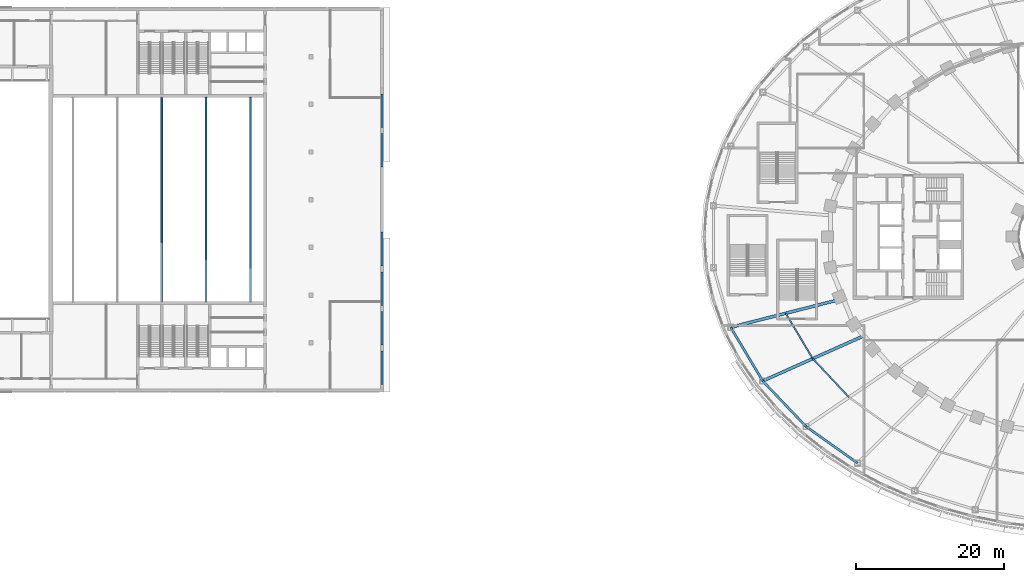
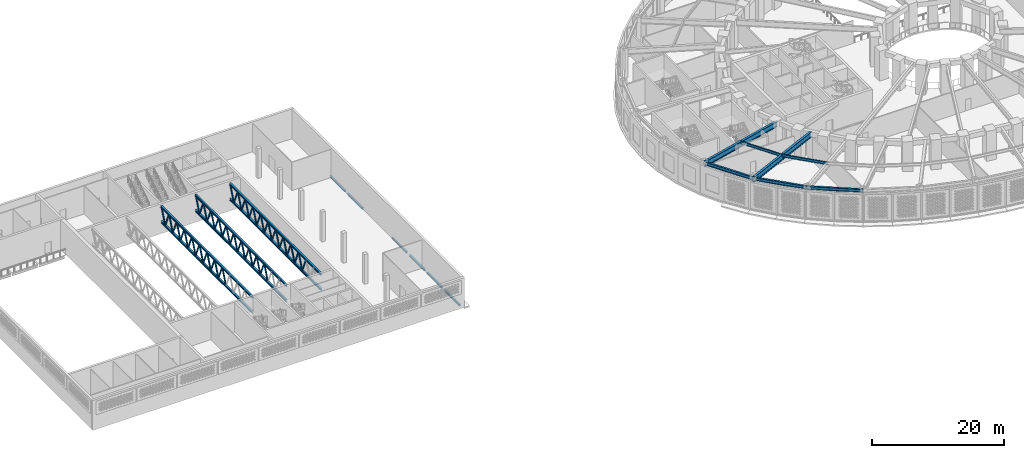
# One storey, part 4 of 69: 56 members, 19 beams.
"""IFC4 building model written with IfcOpenShell, lengths in metres."""

from ifc_helpers import new_model, si_unit, direction, frame, origin, origin_2d, place, context, subcontext, project, spatial, hollow_circle, i_section, extrude, material, material_profile, profile_set, type_object, element, save


model = new_model("IFC4")

# Units and contexts
model_context = context("Model", 3, precision=1e-05, world=origin(), true_north=direction((0.0, 1.0)))
body_context = subcontext(model_context, "Body", "Model", "MODEL_VIEW")
ifc_project = project(units=[si_unit("LENGTHUNIT", "METRE"), si_unit("AREAUNIT", "SQUARE_METRE"), si_unit("VOLUMEUNIT", "CUBIC_METRE"), si_unit("PLANEANGLEUNIT", "RADIAN"), si_unit("MASSUNIT", "GRAM", prefix="KILO")], contexts=[model_context])

# Site, building, storey
site_placement = place(None, origin())
site = spatial("IfcSite", under=ifc_project, at=site_placement, CompositionType="ELEMENT")
building_placement = place(site_placement, origin())
building = spatial("IfcBuilding", under=site, at=building_placement, Name="Noorbagh Ring Tower", CompositionType="ELEMENT")
storey_placement = place(building_placement, frame((0.0, 0.0, 19.5)))
storey = spatial("IfcBuildingStorey", under=building, at=storey_placement, Name="L03", CompositionType="ELEMENT", Elevation=19.5)

# Beams
ifc_material_1 = material(Name="Steel S355", Category="steel")
ifc_material_profile_1 = material_profile(ifc_material_1, i_section(OverallWidth=0.300048828125, OverallDepth=0.60009765625, WebThickness=0.015380859375, FlangeThickness=0.030029296875, FilletRadius=0.027099609375, at=origin_2d()), Name="HEB600")
ifc_profile_set_1 = profile_set([ifc_material_profile_1], Name="Steel S355")
beam_type_1 = type_object("IfcBeamType", Name="GND-EDGE-BEAM-HEB600", PredefinedType="BEAM", material=ifc_profile_set_1)
beam_1_placement = place(storey_placement, frame((-48.0224609375, -12.266845703125, 4.949951171875), z_axis=(0.511999358166, -0.858985830638, 0.0), x_axis=(0.858985830638, 0.511999358166, 0.0)))
element("IfcBeam", 1, at=beam_1_placement, inside=storey, type_object=beam_type_1, Name="L03/bm/ERP-19", PredefinedType="BEAM", context=body_context, shape_type="SweptSolid", body=[
    extrude(i_section(OverallWidth=0.300048828125, OverallDepth=0.60009765625, WebThickness=0.015380859375, FlangeThickness=0.030029296875, FilletRadius=0.027099609375, at=origin_2d()), origin(), (0.0, 0.0, 1.0), 8.449462890625),
])
beam_2_placement = place(storey_placement, frame((-43.6962890625, -19.52490234375, 4.949951171875), z_axis=(0.689738356688, -0.724058698804, 0.0), x_axis=(0.724058698804, 0.689738356688, 0.0)))
element("IfcBeam", 2, at=beam_2_placement, inside=storey, type_object=beam_type_1, Name="L03/bm/ERP-20", PredefinedType="BEAM", context=body_context, shape_type="SweptSolid", body=[
    extrude(i_section(OverallWidth=0.300048828125, OverallDepth=0.60009765625, WebThickness=0.015380859375, FlangeThickness=0.030029296875, FilletRadius=0.027099609375, at=origin_2d()), origin(), (0.0, 0.0, 1.0), 8.500732421875),
])
beam_3_placement = place(storey_placement, frame((-37.8330078125, -25.679931640625, 4.949951171875), z_axis=(0.815104059745, -0.579314570667, 0.0), x_axis=(0.579314570667, 0.815104059745, 0.0)))
element("IfcBeam", 3, at=beam_3_placement, inside=storey, type_object=beam_type_1, Name="L03/bm/ERP-21", PredefinedType="BEAM", context=body_context, shape_type="SweptSolid", body=[
    extrude(i_section(OverallWidth=0.300048828125, OverallDepth=0.60009765625, WebThickness=0.015380859375, FlangeThickness=0.030029296875, FilletRadius=0.027099609375, at=origin_2d()), origin(), (0.0, 0.0, 1.0), 8.543212890625),
])
ifc_material_2 = material(Name="Steel S355", Category="steel")
ifc_material_profile_2 = material_profile(ifc_material_2, i_section(OverallWidth=0.39990234375, OverallDepth=1.0, WebThickness=0.01611328125, FlangeThickness=0.0400390625, at=origin_2d()), Name="PG1000x400x16x40")
ifc_profile_set_2 = profile_set([ifc_material_profile_2], Name="Steel S355")
beam_type_2 = type_object("IfcBeamType", Name="GND-GIRDER-PG1000x400x16x40", PredefinedType="BEAM", material=ifc_profile_set_2)
beam_4_placement = place(storey_placement, frame((-48.0224609375, -12.266845703125, 4.75), z_axis=(0.968889089752, 0.247495316642, 0.0), x_axis=(-0.247495316642, 0.968889089752, 0.0)))
element("IfcBeam", 4, at=beam_4_placement, inside=storey, type_object=beam_type_2, Name="L03/bm/GRP-19", PredefinedType="BEAM", context=body_context, shape_type="SweptSolid", body=[
    extrude(i_section(OverallWidth=0.39990234375, OverallDepth=1.0, WebThickness=0.01611328125, FlangeThickness=0.0400390625, at=origin_2d()), origin(), (0.0, 0.0, 1.0), 15.35986328125),
])
beam_5_placement = place(storey_placement, frame((-43.6962890625, -19.52490234375, 4.75), z_axis=(0.91299879945, 0.4079622436, 0.0), x_axis=(-0.4079622436, 0.91299879945, 0.0)))
element("IfcBeam", 5, at=beam_5_placement, inside=storey, type_object=beam_type_2, Name="L03/bm/GRP-20", PredefinedType="BEAM", context=body_context, shape_type="SweptSolid", body=[
    extrude(i_section(OverallWidth=0.39990234375, OverallDepth=1.0, WebThickness=0.01611328125, FlangeThickness=0.0400390625, at=origin_2d()), origin(), (0.0, 0.0, 1.0), 14.8359375),
])
ifc_material_3 = material(Name="Steel S355", Category="steel")
ifc_material_profile_3 = material_profile(ifc_material_3, i_section(OverallWidth=0.199951171875, OverallDepth=0.5, WebThickness=0.01025390625, FlangeThickness=0.01611328125, FilletRadius=0.02099609375, at=origin_2d()), Name="IPE500")
ifc_profile_set_3 = profile_set([ifc_material_profile_3], Name="Steel S355")
beam_type_3 = type_object("IfcBeamType", Name="GND-MID-BEAM-IPE500", PredefinedType="JOIST", material=ifc_profile_set_3)
beam_6_placement = place(storey_placement, frame((-40.581298828125, -10.3662109375, 5.0), z_axis=(0.512221226457, -0.858853546984, 0.0), x_axis=(0.858853546984, 0.512221226457, 0.0)))
element("IfcBeam", 6, at=beam_6_placement, inside=storey, type_object=beam_type_3, Name="L03/bm/MRP-19", PredefinedType="JOIST", context=body_context, shape_type="SweptSolid", body=[
    extrude(i_section(OverallWidth=0.199951171875, OverallDepth=0.5, WebThickness=0.01025390625, FlangeThickness=0.01611328125, FilletRadius=0.02099609375, at=origin_2d()), origin(), (0.0, 0.0, 1.0), 7.140380859375),
])
beam_7_placement = place(storey_placement, frame((-36.923828125, -16.498779296875, 5.0), z_axis=(0.684360968268, -0.729143377609, 0.0), x_axis=(0.729143377609, 0.684360968268, 0.0)))
element("IfcBeam", 7, at=beam_7_placement, inside=storey, type_object=beam_type_3, Name="L03/bm/MRP-20", PredefinedType="JOIST", context=body_context, shape_type="SweptSolid", body=[
    extrude(i_section(OverallWidth=0.199951171875, OverallDepth=0.5, WebThickness=0.01025390625, FlangeThickness=0.01611328125, FilletRadius=0.02099609375, at=origin_2d()), origin(), (0.0, 0.0, 1.0), 7.174560546875),
])
ifc_material_4 = material(Name="Steel S355", Category="steel")
ifc_material_profile_4 = material_profile(ifc_material_4, i_section(OverallWidth=0.300048828125, OverallDepth=0.300048828125, WebThickness=0.010986328125, FlangeThickness=0.01904296875, FilletRadius=0.027099609375, at=origin_2d()), Name="HEB300")
ifc_profile_set_4 = profile_set([ifc_material_profile_4], Name="Steel S355")
beam_type_4 = type_object("IfcBeamType", Name="TH-SPANDREL", PredefinedType="BEAM", material=ifc_profile_set_4)
beam_8_placement = place(storey_placement, frame((-95.199951171875, -20.0, -0.14990234375), z_axis=(0.0, 1.0, 0.0), x_axis=(-1.0, 0.0, 0.0)))
element("IfcBeam", 8, at=beam_8_placement, inside=storey, type_object=beam_type_4, Name="Foyer spandrel beam 1", PredefinedType="BEAM", context=body_context, shape_type="SweptSolid", body=[
    extrude(i_section(OverallWidth=0.300048828125, OverallDepth=0.300048828125, WebThickness=0.010986328125, FlangeThickness=0.01904296875, FilletRadius=0.027099609375, at=origin_2d()), origin(), (0.0, 0.0, 1.0), 4.550048828125),
])
beam_9_placement = place(storey_placement, frame((-95.199951171875, -14.64990234375, -0.14990234375), z_axis=(0.0, 1.0, 0.0), x_axis=(-1.0, 0.0, 0.0)))
element("IfcBeam", 9, at=beam_9_placement, inside=storey, type_object=beam_type_4, Name="Foyer spandrel beam 2", PredefinedType="BEAM", context=body_context, shape_type="SweptSolid", body=[
    extrude(i_section(OverallWidth=0.300048828125, OverallDepth=0.300048828125, WebThickness=0.010986328125, FlangeThickness=0.01904296875, FilletRadius=0.027099609375, at=origin_2d()), origin(), (0.0, 0.0, 1.0), 4.5498046875),
])
for number, where, z_axis, x_axis, name in (
    (10, (-95.199951171875, -9.300048828125, -0.14990234375), (0.0, 1.0, 0.0), (-1.0, 0.0, 0.0), "Foyer spandrel beam 3"),
    (11, (-95.199951171875, -3.949951171875, -0.14990234375), (0.0, 1.0, 0.0), (-1.0, 0.0, 0.0), "Foyer spandrel beam 4"),
    (12, (-95.199951171875, 9.39990234375, -0.14990234375), (0.0, 1.0, 0.0), (-1.0, 0.0, 0.0), "Foyer spandrel beam 5"),
    (13, (-95.199951171875, 14.75, -0.14990234375), (0.0, 1.0, 0.0), (-1.0, 0.0, 0.0), "Foyer spandrel beam 6"),
):
    element("IfcBeam", number, at=place(storey_placement, frame(where, z_axis=z_axis, x_axis=x_axis)), inside=storey, type_object=beam_type_4, Name=name, PredefinedType="BEAM", context=body_context, shape_type="SweptSolid", body=[
        extrude(i_section(OverallWidth=0.300048828125, OverallDepth=0.300048828125, WebThickness=0.010986328125, FlangeThickness=0.01904296875, FilletRadius=0.027099609375, at=origin_2d()), origin(), (0.0, 0.0, 1.0), 4.550048828125),
    ])
ifc_material_5 = material(Name="Steel S355", Category="steel")
ifc_material_profile_5 = material_profile(ifc_material_5, i_section(OverallWidth=0.300048828125, OverallDepth=0.39990234375, WebThickness=0.013427734375, FlangeThickness=0.02392578125, FilletRadius=0.027099609375, at=origin_2d()), Name="HEB400")
ifc_profile_set_5 = profile_set([ifc_material_profile_5], Name="Steel S355")
beam_type_5 = type_object("IfcBeamType", Name="TH-TRUSS-CHORD", PredefinedType="BEAM", material=ifc_profile_set_5)
for number, where, z_axis, x_axis, name in (
    (14, (-125.0, -8.800048828125, 5.0), (0.0, 1.0, 0.0), (-1.0, 0.0, 0.0), "L03/th-truss/3-top"),
    (15, (-125.0, -8.800048828125, 2.199951171875), (0.0, 1.0, 0.0), (-1.0, 0.0, 0.0), "L03/th-truss/3-bot"),
    (16, (-119.0, -8.800048828125, 5.0), (0.0, 1.0, 0.0), (-1.0, 0.0, 0.0), "L03/th-truss/4-top"),
    (17, (-119.0, -8.800048828125, 2.199951171875), (0.0, 1.0, 0.0), (-1.0, 0.0, 0.0), "L03/th-truss/4-bot"),
    (18, (-113.0, -8.800048828125, 5.0), (0.0, 1.0, 0.0), (-1.0, 0.0, 0.0), "L03/th-truss/5-top"),
    (19, (-113.0, -8.800048828125, 2.199951171875), (0.0, 1.0, 0.0), (-1.0, 0.0, 0.0), "L03/th-truss/5-bot"),
):
    element("IfcBeam", number, at=place(storey_placement, frame(where, z_axis=z_axis, x_axis=x_axis)), inside=storey, type_object=beam_type_5, Name=name, PredefinedType="BEAM", context=body_context, shape_type="SweptSolid", body=[
        extrude(i_section(OverallWidth=0.300048828125, OverallDepth=0.39990234375, WebThickness=0.013427734375, FlangeThickness=0.02392578125, FilletRadius=0.027099609375, at=origin_2d()), origin(), (0.0, 0.0, 1.0), 27.60009765625),
    ])

# Members
ifc_material_6 = material(Name="Steel S355", Category="steel")
ifc_material_profile_6 = material_profile(ifc_material_6, hollow_circle(Radius=0.136474609375, WallThickness=0.012451171875, at=origin_2d()), Name="CHS273x12.5")
ifc_profile_set_6 = profile_set([ifc_material_profile_6], Name="Steel S355")
member_type = type_object("IfcMemberType", Name="TH-TRUSS-DIAG", PredefinedType="BRACE", material=ifc_profile_set_6)
member_1_placement = place(storey_placement, frame((-125.0, -0.75, 2.199951171875), z_axis=(0.0, 0.379885579371, 0.925033484035), x_axis=(-1.0, 0.0, 0.0)))
element("IfcMember", 20, at=member_1_placement, inside=storey, type_object=member_type, Name="L03/th-truss/3-d08", PredefinedType="BRACE", context=body_context, shape_type="SweptSolid", body=[
    extrude(hollow_circle(Radius=0.136474609375, WallThickness=0.012451171875, at=origin_2d()), origin(), (0.0, 0.0, 1.0), 3.02685546875),
])
member_2_placement = place(storey_placement, frame((-125.0, 0.39990234375, 5.0), z_axis=(0.0, 0.379954591726, -0.925005139568), x_axis=(-1.0, 0.0, 0.0)))
element("IfcMember", 21, at=member_2_placement, inside=storey, type_object=member_type, Name="L03/th-truss/3-d09", PredefinedType="BRACE", context=body_context, shape_type="SweptSolid", body=[
    extrude(hollow_circle(Radius=0.136474609375, WallThickness=0.012451171875, at=origin_2d()), origin(), (0.0, 0.0, 1.0), 3.027099609375),
])
member_3_placement = place(storey_placement, frame((-125.0, 1.550048828125, 2.199951171875), z_axis=(0.0, 0.379885579371, 0.925033484035), x_axis=(-1.0, 0.0, 0.0)))
element("IfcMember", 22, at=member_3_placement, inside=storey, type_object=member_type, Name="L03/th-truss/3-d10", PredefinedType="BRACE", context=body_context, shape_type="SweptSolid", body=[
    extrude(hollow_circle(Radius=0.136474609375, WallThickness=0.012451171875, at=origin_2d()), origin(), (0.0, 0.0, 1.0), 3.02685546875),
])
member_4_placement = place(storey_placement, frame((-125.0, 2.699951171875, 5.0), z_axis=(0.0, 0.379954591726, -0.925005139568), x_axis=(-1.0, 0.0, 0.0)))
element("IfcMember", 23, at=member_4_placement, inside=storey, type_object=member_type, Name="L03/th-truss/3-d11", PredefinedType="BRACE", context=body_context, shape_type="SweptSolid", body=[
    extrude(hollow_circle(Radius=0.136474609375, WallThickness=0.012451171875, at=origin_2d()), origin(), (0.0, 0.0, 1.0), 3.027099609375),
])
for number, where, z_axis, x_axis, name in (
    (24, (-125.0, 3.85009765625, 2.199951171875), (0.0, 0.379885579371, 0.925033484035), (-1.0, 0.0, 0.0), "L03/th-truss/3-d12"),
    (25, (-125.0, 5.0, 5.0), (0.0, 0.379885579371, -0.925033484035), (-1.0, 0.0, 0.0), "L03/th-truss/3-d13"),
):
    element("IfcMember", number, at=place(storey_placement, frame(where, z_axis=z_axis, x_axis=x_axis)), inside=storey, type_object=member_type, Name=name, PredefinedType="BRACE", context=body_context, shape_type="SweptSolid", body=[
        extrude(hollow_circle(Radius=0.136474609375, WallThickness=0.012451171875, at=origin_2d()), origin(), (0.0, 0.0, 1.0), 3.02685546875),
    ])
member_5_placement = place(storey_placement, frame((-125.0, 6.14990234375, 2.199951171875), z_axis=(0.0, 0.379954591726, 0.925005139568), x_axis=(-1.0, 0.0, 0.0)))
element("IfcMember", 26, at=member_5_placement, inside=storey, type_object=member_type, Name="L03/th-truss/3-d14", PredefinedType="BRACE", context=body_context, shape_type="SweptSolid", body=[
    extrude(hollow_circle(Radius=0.136474609375, WallThickness=0.012451171875, at=origin_2d()), origin(), (0.0, 0.0, 1.0), 3.027099609375),
])
member_6_placement = place(storey_placement, frame((-125.0, 7.300048828125, 5.0), z_axis=(0.0, 0.379885579371, -0.925033484035), x_axis=(-1.0, 0.0, 0.0)))
element("IfcMember", 27, at=member_6_placement, inside=storey, type_object=member_type, Name="L03/th-truss/3-d15", PredefinedType="BRACE", context=body_context, shape_type="SweptSolid", body=[
    extrude(hollow_circle(Radius=0.136474609375, WallThickness=0.012451171875, at=origin_2d()), origin(), (0.0, 0.0, 1.0), 3.02685546875),
])
member_7_placement = place(storey_placement, frame((-125.0, 8.449951171875, 2.199951171875), z_axis=(0.0, 0.379954591726, 0.925005139568), x_axis=(-1.0, 0.0, 0.0)))
element("IfcMember", 28, at=member_7_placement, inside=storey, type_object=member_type, Name="L03/th-truss/3-d16", PredefinedType="BRACE", context=body_context, shape_type="SweptSolid", body=[
    extrude(hollow_circle(Radius=0.136474609375, WallThickness=0.012451171875, at=origin_2d()), origin(), (0.0, 0.0, 1.0), 3.027099609375),
])
for number, where, z_axis, x_axis, name in (
    (29, (-125.0, 9.60009765625, 5.0), (0.0, 0.379885579371, -0.925033484035), (-1.0, 0.0, 0.0), "L03/th-truss/3-d17"),
    (30, (-125.0, 10.75, 2.199951171875), (0.0, 0.379885579371, 0.925033484035), (-1.0, 0.0, 0.0), "L03/th-truss/3-d18"),
):
    element("IfcMember", number, at=place(storey_placement, frame(where, z_axis=z_axis, x_axis=x_axis)), inside=storey, type_object=member_type, Name=name, PredefinedType="BRACE", context=body_context, shape_type="SweptSolid", body=[
        extrude(hollow_circle(Radius=0.136474609375, WallThickness=0.012451171875, at=origin_2d()), origin(), (0.0, 0.0, 1.0), 3.02685546875),
    ])
member_8_placement = place(storey_placement, frame((-125.0, 11.89990234375, 5.0), z_axis=(0.0, 0.379954591726, -0.925005139568), x_axis=(-1.0, 0.0, 0.0)))
element("IfcMember", 31, at=member_8_placement, inside=storey, type_object=member_type, Name="L03/th-truss/3-d19", PredefinedType="BRACE", context=body_context, shape_type="SweptSolid", body=[
    extrude(hollow_circle(Radius=0.136474609375, WallThickness=0.012451171875, at=origin_2d()), origin(), (0.0, 0.0, 1.0), 3.027099609375),
])
member_9_placement = place(storey_placement, frame((-125.0, 13.050048828125, 2.199951171875), z_axis=(0.0, 0.379885579371, 0.925033484035), x_axis=(-1.0, 0.0, 0.0)))
element("IfcMember", 32, at=member_9_placement, inside=storey, type_object=member_type, Name="L03/th-truss/3-d20", PredefinedType="BRACE", context=body_context, shape_type="SweptSolid", body=[
    extrude(hollow_circle(Radius=0.136474609375, WallThickness=0.012451171875, at=origin_2d()), origin(), (0.0, 0.0, 1.0), 3.02685546875),
])
member_10_placement = place(storey_placement, frame((-125.0, 14.199951171875, 5.0), z_axis=(0.0, 0.379954591726, -0.925005139568), x_axis=(-1.0, 0.0, 0.0)))
element("IfcMember", 33, at=member_10_placement, inside=storey, type_object=member_type, Name="L03/th-truss/3-d21", PredefinedType="BRACE", context=body_context, shape_type="SweptSolid", body=[
    extrude(hollow_circle(Radius=0.136474609375, WallThickness=0.012451171875, at=origin_2d()), origin(), (0.0, 0.0, 1.0), 3.027099609375),
])
for number, where, z_axis, x_axis, name in (
    (34, (-125.0, 15.35009765625, 2.199951171875), (0.0, 0.379885579371, 0.925033484035), (-1.0, 0.0, 0.0), "L03/th-truss/3-d22"),
    (35, (-125.0, 16.5, 5.0), (0.0, 0.379885579371, -0.925033484035), (-1.0, 0.0, 0.0), "L03/th-truss/3-d23"),
):
    element("IfcMember", number, at=place(storey_placement, frame(where, z_axis=z_axis, x_axis=x_axis)), inside=storey, type_object=member_type, Name=name, PredefinedType="BRACE", context=body_context, shape_type="SweptSolid", body=[
        extrude(hollow_circle(Radius=0.136474609375, WallThickness=0.012451171875, at=origin_2d()), origin(), (0.0, 0.0, 1.0), 3.02685546875),
    ])
for number, where, z_axis, x_axis, name in (
    (36, (-125.0, 17.64990234375, 2.199951171875), (0.0, 0.379954591726, 0.925005139568), (-1.0, 0.0, 0.0), "L03/th-truss/3-d24"),
    (37, (-119.0, -3.050048828125, 2.199951171875), (0.0, 0.379954591726, 0.925005139568), (-1.0, 0.0, 0.0), "L03/th-truss/4-d06"),
):
    element("IfcMember", number, at=place(storey_placement, frame(where, z_axis=z_axis, x_axis=x_axis)), inside=storey, type_object=member_type, Name=name, PredefinedType="BRACE", context=body_context, shape_type="SweptSolid", body=[
        extrude(hollow_circle(Radius=0.136474609375, WallThickness=0.012451171875, at=origin_2d()), origin(), (0.0, 0.0, 1.0), 3.027099609375),
    ])
for number, where, z_axis, x_axis, name in (
    (38, (-119.0, -1.89990234375, 5.0), (0.0, 0.379885579371, -0.925033484035), (-1.0, 0.0, 0.0), "L03/th-truss/4-d07"),
    (39, (-119.0, -0.75, 2.199951171875), (0.0, 0.379885579371, 0.925033484035), (-1.0, 0.0, 0.0), "L03/th-truss/4-d08"),
):
    element("IfcMember", number, at=place(storey_placement, frame(where, z_axis=z_axis, x_axis=x_axis)), inside=storey, type_object=member_type, Name=name, PredefinedType="BRACE", context=body_context, shape_type="SweptSolid", body=[
        extrude(hollow_circle(Radius=0.136474609375, WallThickness=0.012451171875, at=origin_2d()), origin(), (0.0, 0.0, 1.0), 3.02685546875),
    ])
member_11_placement = place(storey_placement, frame((-119.0, 0.39990234375, 5.0), z_axis=(0.0, 0.379954591726, -0.925005139568), x_axis=(-1.0, 0.0, 0.0)))
element("IfcMember", 40, at=member_11_placement, inside=storey, type_object=member_type, Name="L03/th-truss/4-d09", PredefinedType="BRACE", context=body_context, shape_type="SweptSolid", body=[
    extrude(hollow_circle(Radius=0.136474609375, WallThickness=0.012451171875, at=origin_2d()), origin(), (0.0, 0.0, 1.0), 3.027099609375),
])
member_12_placement = place(storey_placement, frame((-119.0, 1.550048828125, 2.199951171875), z_axis=(0.0, 0.379885579371, 0.925033484035), x_axis=(-1.0, 0.0, 0.0)))
element("IfcMember", 41, at=member_12_placement, inside=storey, type_object=member_type, Name="L03/th-truss/4-d10", PredefinedType="BRACE", context=body_context, shape_type="SweptSolid", body=[
    extrude(hollow_circle(Radius=0.136474609375, WallThickness=0.012451171875, at=origin_2d()), origin(), (0.0, 0.0, 1.0), 3.02685546875),
])
member_13_placement = place(storey_placement, frame((-119.0, 2.699951171875, 5.0), z_axis=(0.0, 0.379954591726, -0.925005139568), x_axis=(-1.0, 0.0, 0.0)))
element("IfcMember", 42, at=member_13_placement, inside=storey, type_object=member_type, Name="L03/th-truss/4-d11", PredefinedType="BRACE", context=body_context, shape_type="SweptSolid", body=[
    extrude(hollow_circle(Radius=0.136474609375, WallThickness=0.012451171875, at=origin_2d()), origin(), (0.0, 0.0, 1.0), 3.027099609375),
])
for number, where, z_axis, x_axis, name in (
    (43, (-119.0, 3.85009765625, 2.199951171875), (0.0, 0.379885579371, 0.925033484035), (-1.0, 0.0, 0.0), "L03/th-truss/4-d12"),
    (44, (-119.0, 5.0, 5.0), (0.0, 0.379885579371, -0.925033484035), (-1.0, 0.0, 0.0), "L03/th-truss/4-d13"),
):
    element("IfcMember", number, at=place(storey_placement, frame(where, z_axis=z_axis, x_axis=x_axis)), inside=storey, type_object=member_type, Name=name, PredefinedType="BRACE", context=body_context, shape_type="SweptSolid", body=[
        extrude(hollow_circle(Radius=0.136474609375, WallThickness=0.012451171875, at=origin_2d()), origin(), (0.0, 0.0, 1.0), 3.02685546875),
    ])
member_14_placement = place(storey_placement, frame((-119.0, 6.14990234375, 2.199951171875), z_axis=(0.0, 0.379954591726, 0.925005139568), x_axis=(-1.0, 0.0, 0.0)))
element("IfcMember", 45, at=member_14_placement, inside=storey, type_object=member_type, Name="L03/th-truss/4-d14", PredefinedType="BRACE", context=body_context, shape_type="SweptSolid", body=[
    extrude(hollow_circle(Radius=0.136474609375, WallThickness=0.012451171875, at=origin_2d()), origin(), (0.0, 0.0, 1.0), 3.027099609375),
])
member_15_placement = place(storey_placement, frame((-119.0, 7.300048828125, 5.0), z_axis=(0.0, 0.379885579371, -0.925033484035), x_axis=(-1.0, 0.0, 0.0)))
element("IfcMember", 46, at=member_15_placement, inside=storey, type_object=member_type, Name="L03/th-truss/4-d15", PredefinedType="BRACE", context=body_context, shape_type="SweptSolid", body=[
    extrude(hollow_circle(Radius=0.136474609375, WallThickness=0.012451171875, at=origin_2d()), origin(), (0.0, 0.0, 1.0), 3.02685546875),
])
member_16_placement = place(storey_placement, frame((-119.0, 8.449951171875, 2.199951171875), z_axis=(0.0, 0.379954591726, 0.925005139568), x_axis=(-1.0, 0.0, 0.0)))
element("IfcMember", 47, at=member_16_placement, inside=storey, type_object=member_type, Name="L03/th-truss/4-d16", PredefinedType="BRACE", context=body_context, shape_type="SweptSolid", body=[
    extrude(hollow_circle(Radius=0.136474609375, WallThickness=0.012451171875, at=origin_2d()), origin(), (0.0, 0.0, 1.0), 3.027099609375),
])
for number, where, z_axis, x_axis, name in (
    (48, (-119.0, 9.60009765625, 5.0), (0.0, 0.379885579371, -0.925033484035), (-1.0, 0.0, 0.0), "L03/th-truss/4-d17"),
    (49, (-119.0, 10.75, 2.199951171875), (0.0, 0.379885579371, 0.925033484035), (-1.0, 0.0, 0.0), "L03/th-truss/4-d18"),
):
    element("IfcMember", number, at=place(storey_placement, frame(where, z_axis=z_axis, x_axis=x_axis)), inside=storey, type_object=member_type, Name=name, PredefinedType="BRACE", context=body_context, shape_type="SweptSolid", body=[
        extrude(hollow_circle(Radius=0.136474609375, WallThickness=0.012451171875, at=origin_2d()), origin(), (0.0, 0.0, 1.0), 3.02685546875),
    ])
member_17_placement = place(storey_placement, frame((-119.0, 11.89990234375, 5.0), z_axis=(0.0, 0.379954591726, -0.925005139568), x_axis=(-1.0, 0.0, 0.0)))
element("IfcMember", 50, at=member_17_placement, inside=storey, type_object=member_type, Name="L03/th-truss/4-d19", PredefinedType="BRACE", context=body_context, shape_type="SweptSolid", body=[
    extrude(hollow_circle(Radius=0.136474609375, WallThickness=0.012451171875, at=origin_2d()), origin(), (0.0, 0.0, 1.0), 3.027099609375),
])
member_18_placement = place(storey_placement, frame((-119.0, 13.050048828125, 2.199951171875), z_axis=(0.0, 0.379885579371, 0.925033484035), x_axis=(-1.0, 0.0, 0.0)))
element("IfcMember", 51, at=member_18_placement, inside=storey, type_object=member_type, Name="L03/th-truss/4-d20", PredefinedType="BRACE", context=body_context, shape_type="SweptSolid", body=[
    extrude(hollow_circle(Radius=0.136474609375, WallThickness=0.012451171875, at=origin_2d()), origin(), (0.0, 0.0, 1.0), 3.02685546875),
])
member_19_placement = place(storey_placement, frame((-119.0, 14.199951171875, 5.0), z_axis=(0.0, 0.379954591726, -0.925005139568), x_axis=(-1.0, 0.0, 0.0)))
element("IfcMember", 52, at=member_19_placement, inside=storey, type_object=member_type, Name="L03/th-truss/4-d21", PredefinedType="BRACE", context=body_context, shape_type="SweptSolid", body=[
    extrude(hollow_circle(Radius=0.136474609375, WallThickness=0.012451171875, at=origin_2d()), origin(), (0.0, 0.0, 1.0), 3.027099609375),
])
for number, where, z_axis, x_axis, name in (
    (53, (-119.0, 15.35009765625, 2.199951171875), (0.0, 0.379885579371, 0.925033484035), (-1.0, 0.0, 0.0), "L03/th-truss/4-d22"),
    (54, (-119.0, 16.5, 5.0), (0.0, 0.379885579371, -0.925033484035), (-1.0, 0.0, 0.0), "L03/th-truss/4-d23"),
):
    element("IfcMember", number, at=place(storey_placement, frame(where, z_axis=z_axis, x_axis=x_axis)), inside=storey, type_object=member_type, Name=name, PredefinedType="BRACE", context=body_context, shape_type="SweptSolid", body=[
        extrude(hollow_circle(Radius=0.136474609375, WallThickness=0.012451171875, at=origin_2d()), origin(), (0.0, 0.0, 1.0), 3.02685546875),
    ])
member_20_placement = place(storey_placement, frame((-119.0, 17.64990234375, 2.199951171875), z_axis=(0.0, 0.379954591726, 0.925005139568), x_axis=(-1.0, 0.0, 0.0)))
element("IfcMember", 55, at=member_20_placement, inside=storey, type_object=member_type, Name="L03/th-truss/4-d24", PredefinedType="BRACE", context=body_context, shape_type="SweptSolid", body=[
    extrude(hollow_circle(Radius=0.136474609375, WallThickness=0.012451171875, at=origin_2d()), origin(), (0.0, 0.0, 1.0), 3.027099609375),
])
member_21_placement = place(storey_placement, frame((-113.0, -4.199951171875, 5.0), z_axis=(0.0, 0.379885579371, -0.925033484035), x_axis=(-1.0, 0.0, 0.0)))
element("IfcMember", 56, at=member_21_placement, inside=storey, type_object=member_type, Name="L03/th-truss/5-d05", PredefinedType="BRACE", context=body_context, shape_type="SweptSolid", body=[
    extrude(hollow_circle(Radius=0.136474609375, WallThickness=0.012451171875, at=origin_2d()), origin(), (0.0, 0.0, 1.0), 3.02685546875),
])
member_22_placement = place(storey_placement, frame((-113.0, -3.050048828125, 2.199951171875), z_axis=(0.0, 0.379954591726, 0.925005139568), x_axis=(-1.0, 0.0, 0.0)))
element("IfcMember", 57, at=member_22_placement, inside=storey, type_object=member_type, Name="L03/th-truss/5-d06", PredefinedType="BRACE", context=body_context, shape_type="SweptSolid", body=[
    extrude(hollow_circle(Radius=0.136474609375, WallThickness=0.012451171875, at=origin_2d()), origin(), (0.0, 0.0, 1.0), 3.027099609375),
])
for number, where, z_axis, x_axis, name in (
    (58, (-113.0, -1.89990234375, 5.0), (0.0, 0.379885579371, -0.925033484035), (-1.0, 0.0, 0.0), "L03/th-truss/5-d07"),
    (59, (-113.0, -0.75, 2.199951171875), (0.0, 0.379885579371, 0.925033484035), (-1.0, 0.0, 0.0), "L03/th-truss/5-d08"),
):
    element("IfcMember", number, at=place(storey_placement, frame(where, z_axis=z_axis, x_axis=x_axis)), inside=storey, type_object=member_type, Name=name, PredefinedType="BRACE", context=body_context, shape_type="SweptSolid", body=[
        extrude(hollow_circle(Radius=0.136474609375, WallThickness=0.012451171875, at=origin_2d()), origin(), (0.0, 0.0, 1.0), 3.02685546875),
    ])
member_23_placement = place(storey_placement, frame((-113.0, 0.39990234375, 5.0), z_axis=(0.0, 0.379954591726, -0.925005139568), x_axis=(-1.0, 0.0, 0.0)))
element("IfcMember", 60, at=member_23_placement, inside=storey, type_object=member_type, Name="L03/th-truss/5-d09", PredefinedType="BRACE", context=body_context, shape_type="SweptSolid", body=[
    extrude(hollow_circle(Radius=0.136474609375, WallThickness=0.012451171875, at=origin_2d()), origin(), (0.0, 0.0, 1.0), 3.027099609375),
])
member_24_placement = place(storey_placement, frame((-113.0, 1.550048828125, 2.199951171875), z_axis=(0.0, 0.379885579371, 0.925033484035), x_axis=(-1.0, 0.0, 0.0)))
element("IfcMember", 61, at=member_24_placement, inside=storey, type_object=member_type, Name="L03/th-truss/5-d10", PredefinedType="BRACE", context=body_context, shape_type="SweptSolid", body=[
    extrude(hollow_circle(Radius=0.136474609375, WallThickness=0.012451171875, at=origin_2d()), origin(), (0.0, 0.0, 1.0), 3.02685546875),
])
member_25_placement = place(storey_placement, frame((-113.0, 2.699951171875, 5.0), z_axis=(0.0, 0.379954591726, -0.925005139568), x_axis=(-1.0, 0.0, 0.0)))
element("IfcMember", 62, at=member_25_placement, inside=storey, type_object=member_type, Name="L03/th-truss/5-d11", PredefinedType="BRACE", context=body_context, shape_type="SweptSolid", body=[
    extrude(hollow_circle(Radius=0.136474609375, WallThickness=0.012451171875, at=origin_2d()), origin(), (0.0, 0.0, 1.0), 3.027099609375),
])
for number, where, z_axis, x_axis, name in (
    (63, (-113.0, 3.85009765625, 2.199951171875), (0.0, 0.379885579371, 0.925033484035), (-1.0, 0.0, 0.0), "L03/th-truss/5-d12"),
    (64, (-113.0, 5.0, 5.0), (0.0, 0.379885579371, -0.925033484035), (-1.0, 0.0, 0.0), "L03/th-truss/5-d13"),
):
    element("IfcMember", number, at=place(storey_placement, frame(where, z_axis=z_axis, x_axis=x_axis)), inside=storey, type_object=member_type, Name=name, PredefinedType="BRACE", context=body_context, shape_type="SweptSolid", body=[
        extrude(hollow_circle(Radius=0.136474609375, WallThickness=0.012451171875, at=origin_2d()), origin(), (0.0, 0.0, 1.0), 3.02685546875),
    ])
member_26_placement = place(storey_placement, frame((-113.0, 6.14990234375, 2.199951171875), z_axis=(0.0, 0.379954591726, 0.925005139568), x_axis=(-1.0, 0.0, 0.0)))
element("IfcMember", 65, at=member_26_placement, inside=storey, type_object=member_type, Name="L03/th-truss/5-d14", PredefinedType="BRACE", context=body_context, shape_type="SweptSolid", body=[
    extrude(hollow_circle(Radius=0.136474609375, WallThickness=0.012451171875, at=origin_2d()), origin(), (0.0, 0.0, 1.0), 3.027099609375),
])
member_27_placement = place(storey_placement, frame((-113.0, 7.300048828125, 5.0), z_axis=(0.0, 0.379885579371, -0.925033484035), x_axis=(-1.0, 0.0, 0.0)))
element("IfcMember", 66, at=member_27_placement, inside=storey, type_object=member_type, Name="L03/th-truss/5-d15", PredefinedType="BRACE", context=body_context, shape_type="SweptSolid", body=[
    extrude(hollow_circle(Radius=0.136474609375, WallThickness=0.012451171875, at=origin_2d()), origin(), (0.0, 0.0, 1.0), 3.02685546875),
])
member_28_placement = place(storey_placement, frame((-113.0, 8.449951171875, 2.199951171875), z_axis=(0.0, 0.379954591726, 0.925005139568), x_axis=(-1.0, 0.0, 0.0)))
element("IfcMember", 67, at=member_28_placement, inside=storey, type_object=member_type, Name="L03/th-truss/5-d16", PredefinedType="BRACE", context=body_context, shape_type="SweptSolid", body=[
    extrude(hollow_circle(Radius=0.136474609375, WallThickness=0.012451171875, at=origin_2d()), origin(), (0.0, 0.0, 1.0), 3.027099609375),
])
for number, where, z_axis, x_axis, name in (
    (68, (-113.0, 9.60009765625, 5.0), (0.0, 0.379885579371, -0.925033484035), (-1.0, 0.0, 0.0), "L03/th-truss/5-d17"),
    (69, (-113.0, 10.75, 2.199951171875), (0.0, 0.379885579371, 0.925033484035), (-1.0, 0.0, 0.0), "L03/th-truss/5-d18"),
):
    element("IfcMember", number, at=place(storey_placement, frame(where, z_axis=z_axis, x_axis=x_axis)), inside=storey, type_object=member_type, Name=name, PredefinedType="BRACE", context=body_context, shape_type="SweptSolid", body=[
        extrude(hollow_circle(Radius=0.136474609375, WallThickness=0.012451171875, at=origin_2d()), origin(), (0.0, 0.0, 1.0), 3.02685546875),
    ])
member_29_placement = place(storey_placement, frame((-113.0, 11.89990234375, 5.0), z_axis=(0.0, 0.379954591726, -0.925005139568), x_axis=(-1.0, 0.0, 0.0)))
element("IfcMember", 70, at=member_29_placement, inside=storey, type_object=member_type, Name="L03/th-truss/5-d19", PredefinedType="BRACE", context=body_context, shape_type="SweptSolid", body=[
    extrude(hollow_circle(Radius=0.136474609375, WallThickness=0.012451171875, at=origin_2d()), origin(), (0.0, 0.0, 1.0), 3.027099609375),
])
member_30_placement = place(storey_placement, frame((-113.0, 13.050048828125, 2.199951171875), z_axis=(0.0, 0.379885579371, 0.925033484035), x_axis=(-1.0, 0.0, 0.0)))
element("IfcMember", 71, at=member_30_placement, inside=storey, type_object=member_type, Name="L03/th-truss/5-d20", PredefinedType="BRACE", context=body_context, shape_type="SweptSolid", body=[
    extrude(hollow_circle(Radius=0.136474609375, WallThickness=0.012451171875, at=origin_2d()), origin(), (0.0, 0.0, 1.0), 3.02685546875),
])
member_31_placement = place(storey_placement, frame((-113.0, 14.199951171875, 5.0), z_axis=(0.0, 0.379954591726, -0.925005139568), x_axis=(-1.0, 0.0, 0.0)))
element("IfcMember", 72, at=member_31_placement, inside=storey, type_object=member_type, Name="L03/th-truss/5-d21", PredefinedType="BRACE", context=body_context, shape_type="SweptSolid", body=[
    extrude(hollow_circle(Radius=0.136474609375, WallThickness=0.012451171875, at=origin_2d()), origin(), (0.0, 0.0, 1.0), 3.027099609375),
])
for number, where, z_axis, x_axis, name in (
    (73, (-113.0, 15.35009765625, 2.199951171875), (0.0, 0.379885579371, 0.925033484035), (-1.0, 0.0, 0.0), "L03/th-truss/5-d22"),
    (74, (-113.0, 16.5, 5.0), (0.0, 0.379885579371, -0.925033484035), (-1.0, 0.0, 0.0), "L03/th-truss/5-d23"),
):
    element("IfcMember", number, at=place(storey_placement, frame(where, z_axis=z_axis, x_axis=x_axis)), inside=storey, type_object=member_type, Name=name, PredefinedType="BRACE", context=body_context, shape_type="SweptSolid", body=[
        extrude(hollow_circle(Radius=0.136474609375, WallThickness=0.012451171875, at=origin_2d()), origin(), (0.0, 0.0, 1.0), 3.02685546875),
    ])
member_32_placement = place(storey_placement, frame((-113.0, 17.64990234375, 2.199951171875), z_axis=(0.0, 0.379954591726, 0.925005139568), x_axis=(-1.0, 0.0, 0.0)))
element("IfcMember", 75, at=member_32_placement, inside=storey, type_object=member_type, Name="L03/th-truss/5-d24", PredefinedType="BRACE", context=body_context, shape_type="SweptSolid", body=[
    extrude(hollow_circle(Radius=0.136474609375, WallThickness=0.012451171875, at=origin_2d()), origin(), (0.0, 0.0, 1.0), 3.027099609375),
])

save(model, "model.ifc")
